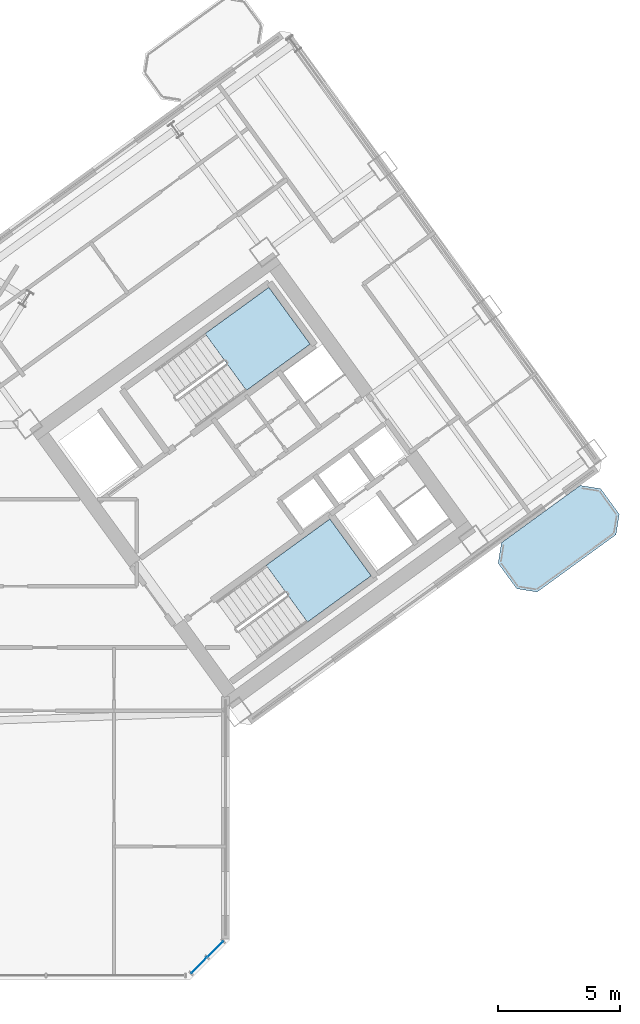
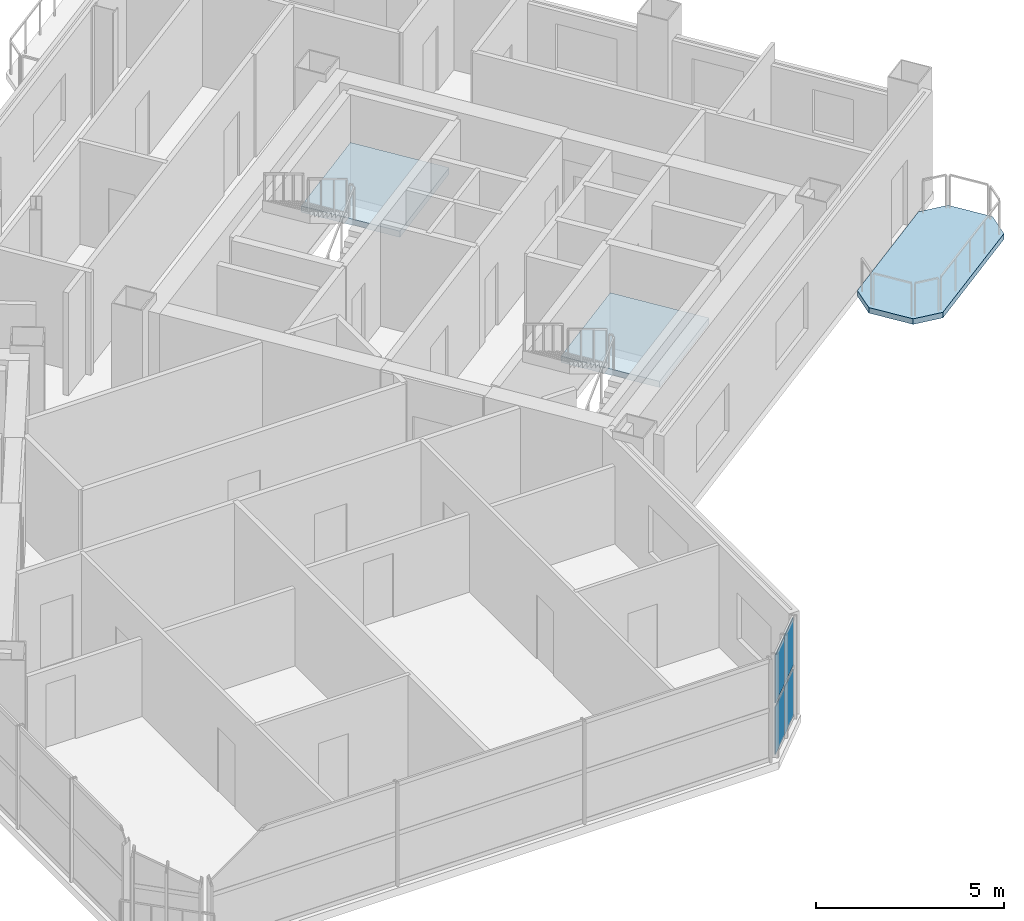
# One storey, part 10 of 21: 4 plates, 3 slabs, 3 elements without a shape of their own.
"""IFC4 building model written with IfcOpenShell, lengths in metres."""

from ifc_helpers import new_model, si_unit, direction, frame, origin, origin_2d, place, context, subcontext, project, spatial, polyline, rectangle, outline, extrude, source, transform, mapped, material, layer, layer_set, type_object, element, aggregate, save


model = new_model("IFC4")

# Units and contexts
model_context = context("Model", 3, precision=1e-05, world=origin(), true_north=direction((0.0, 1.0)))
body_context = subcontext(model_context, "Body", "Model", "MODEL_VIEW")
ifc_project = project(units=[si_unit("LENGTHUNIT", "METRE"), si_unit("AREAUNIT", "SQUARE_METRE"), si_unit("VOLUMEUNIT", "CUBIC_METRE"), si_unit("PLANEANGLEUNIT", "RADIAN"), si_unit("MASSUNIT", "GRAM", prefix="KILO")], contexts=[model_context])

# Site, building, storey
site_placement = place(None, origin())
site = spatial("IfcSite", under=ifc_project, at=site_placement, CompositionType="ELEMENT")
building_placement = place(site_placement, origin())
building = spatial("IfcBuilding", under=site, at=building_placement, Name="Tlacorven Tower", CompositionType="ELEMENT")
storey_placement = place(building_placement, frame((0.0, 0.0, 105.300048828125)))
storey = spatial("IfcBuildingStorey", under=building, at=storey_placement, Name="L26", CompositionType="ELEMENT", Elevation=105.300048828125)

# Slab
ifc_material_1 = material(Name="Precast concrete C45/55", Category="concrete")
ifc_layer_1 = layer(ifc_material_1, 0.179931640625)
ifc_layer_set_1 = layer_set([ifc_layer_1], Name="Precast concrete C45/55")
slab_type_1 = type_object("IfcSlabType", Name="SL-BAL-180", PredefinedType="USERDEFINED", material=ifc_layer_set_1)
slab_1_placement = place(storey_placement, frame((0.0, 0.0, -0.179931640625)))
element("IfcSlab", 1, at=slab_1_placement, inside=storey, type_object=slab_type_1, Name="L26 East Wing Balcony Ribbon OUT", ObjectType="BALCONY SLAB", PredefinedType="USERDEFINED", context=body_context, shape_type="SweptSolid", body=[
    extrude(outline(polyline([(65.025634765625, 17.69482421875), (68.26171875, 20.046142578125), (68.394287109375, 20.884033203125), (67.633056640625, 21.931884765625), (66.795166015625, 22.064453125), (63.55908203125, 19.71337890625), (63.42626953125, 18.875244140625), (64.1875, 17.82763671875), (65.025634765625, 17.69482421875)])), origin(), (0.0, 0.0, 1.0), 0.179931640625),
])

# Stair, slab
ifc_material_2 = material(Name="Concrete C40/50", Category="concrete")
stair_type = type_object("IfcStairType", Name="ST-CORE-DLG", PredefinedType="HALF_TURN_STAIR", material=ifc_material_2)
stair_1_placement = place(storey_placement, origin())
stair_1 = element("IfcStair", 2, at=stair_1_placement, inside=storey, type_object=stair_type, Name="L26 Protected Exit Stair East 1", PredefinedType="HALF_TURN_STAIR")
ifc_layer_2 = layer(ifc_material_2, 0.199951171875)
ifc_layer_set_2 = layer_set([ifc_layer_2], Name="Concrete C40/50")
slab_type_2 = type_object("IfcSlabType", Name="SL-LND-200", PredefinedType="LANDING", material=ifc_layer_set_2)
slab_2_placement = place(storey_placement, frame((0.0, 0.0, 1.599853515625)))
slab_2 = element("IfcSlab", 3, at=slab_2_placement, type_object=slab_type_2, Name="ST-E1 landing 1", PredefinedType="LANDING", context=body_context, shape_type="SweptSolid", body=[
    extrude(outline(polyline([(53.09765625, 25.962890625), (55.7109375, 27.861572265625), (54.01806640625, 30.19140625), (51.40478515625, 28.29296875), (53.09765625, 25.962890625)])), origin(), (0.0, 0.0, 1.0), 0.2001953125),
])
aggregate(stair_1, [slab_2])

stair_2_placement = place(storey_placement, origin())
stair_2 = element("IfcStair", 4, at=stair_2_placement, inside=storey, type_object=stair_type, Name="L26 Protected Exit Stair East 2", PredefinedType="HALF_TURN_STAIR")
slab_3_placement = place(storey_placement, frame((0.0, 0.0, 1.599853515625)))
slab_3 = element("IfcSlab", 5, at=slab_3_placement, type_object=slab_type_2, Name="ST-E2 landing 1", PredefinedType="LANDING", context=body_context, shape_type="SweptSolid", body=[
    extrude(outline(polyline([(55.601806640625, 16.4599609375), (58.21484375, 18.3583984375), (56.52197265625, 20.6884765625), (53.908935546875, 18.789794921875), (55.601806640625, 16.4599609375)])), origin(), (0.0, 0.0, 1.0), 0.2001953125),
])
aggregate(stair_2, [slab_3])

# Curtain wall, plates
ifc_material_3 = material(Name="Dark solar low-E double glazing in aluminium frame", Category="aluminium")
curtain_wall_type = type_object("IfcCurtainWallType", Name="CW-TWR-MID", PredefinedType="USERDEFINED", material=ifc_material_3)
curtain_wall_placement = place(storey_placement, origin())
curtain_wall = element("IfcCurtainWall", 6, at=curtain_wall_placement, inside=storey, type_object=curtain_wall_type, Name="L26 CW-TWR-MID Curtain Wall 131", ObjectType="UNITISED CURTAIN WALL", PredefinedType="USERDEFINED")
ifc_material_4 = material(Name="High-wind dark solar tempered low-E glazing", Category="glass")
ifc_layer_3 = layer(ifc_material_4, 0.028076171875)
ifc_layer_set_3 = layer_set([ifc_layer_3], Name="High-wind dark solar tempered low-E glazing")
plate_type = type_object("IfcPlateType", Name="CWP-03", PredefinedType="CURTAIN_PANEL", material=ifc_layer_set_3)
shared_shape = source(origin(), body_context, "Body", "SweptSolid", [
    extrude(rectangle(XDim=0.885498046875, YDim=0.028076171875, at=origin_2d()), origin(), (0.0, 0.0, 1.0), 1.552978515625),
])
plate_1_placement = place(storey_placement, frame((51.816650390625, 3.04296875, 0.06103515625), z_axis=(0.0, 0.0, 1.0), x_axis=(-0.707106781187, -0.707106781187, 0.0)))
plate_1 = element("IfcPlate", 7, at=plate_1_placement, type_object=plate_type, Name="CW-L26-131 Glazing Panel 1", PredefinedType="CURTAIN_PANEL", context=body_context, shape_type="MappedRepresentation", body=[
    mapped(shared_shape, transform((0.0, 0.0, 0.0), scale=1.0)),
])
plate_2_placement = place(storey_placement, frame((51.816650390625, 3.04296875, 1.73583984375), z_axis=(0.0, 0.0, 1.0), x_axis=(-0.707106781187, -0.707106781187, 0.0)))
plate_2 = element("IfcPlate", 8, at=plate_2_placement, type_object=plate_type, Name="CW-L26-131 Glazing Panel 2", PredefinedType="CURTAIN_PANEL", context=body_context, shape_type="MappedRepresentation", body=[
    mapped(shared_shape, transform((0.0, 0.0, 0.0), scale=1.0)),
])
plate_3_placement = place(storey_placement, frame((51.1572265625, 2.38330078125, 0.06103515625), z_axis=(0.0, 0.0, 1.0), x_axis=(-0.707106781187, -0.707106781187, 0.0)))
plate_3 = element("IfcPlate", 9, at=plate_3_placement, type_object=plate_type, Name="CW-L26-131 Glazing Panel 3", PredefinedType="CURTAIN_PANEL", context=body_context, shape_type="MappedRepresentation", body=[
    mapped(shared_shape, transform((0.0, 0.0, 0.0), scale=1.0)),
])
plate_4_placement = place(storey_placement, frame((51.1572265625, 2.38330078125, 1.73583984375), z_axis=(0.0, 0.0, 1.0), x_axis=(-0.707106781187, -0.707106781187, 0.0)))
plate_4 = element("IfcPlate", 10, at=plate_4_placement, type_object=plate_type, Name="CW-L26-131 Glazing Panel 4", PredefinedType="CURTAIN_PANEL", context=body_context, shape_type="MappedRepresentation", body=[
    mapped(shared_shape, transform((0.0, 0.0, 0.0), scale=1.0)),
])
aggregate(curtain_wall, [plate_1, plate_2, plate_3, plate_4])

save(model, "model.ifc")
